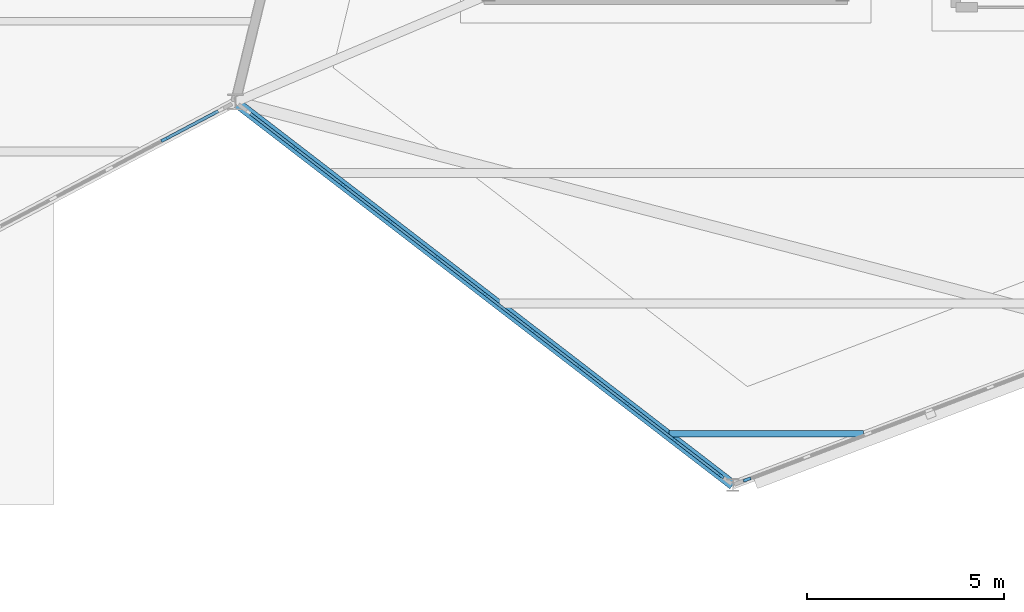
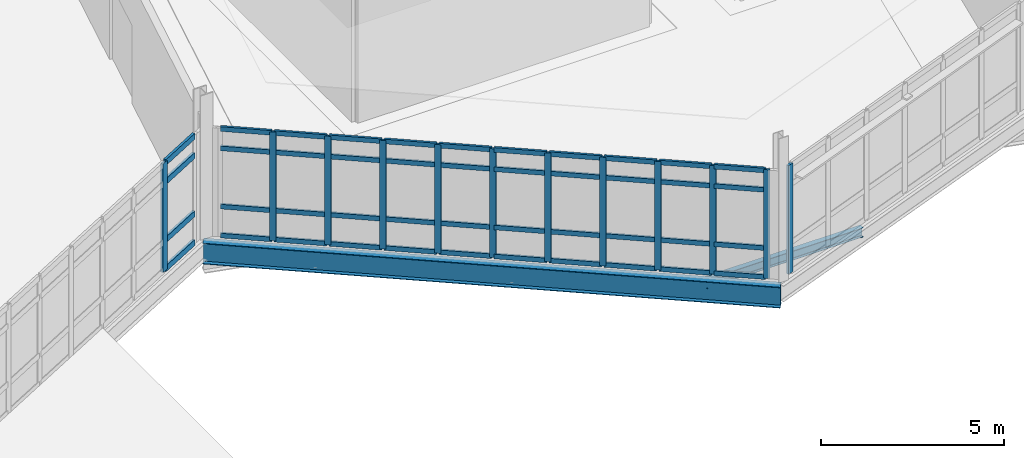
# One storey, part 40 of 134: 56 members, 2 beams, 3 elements without a shape of their own.
"""IFC4 building model written with IfcOpenShell, lengths in metres."""

from ifc_helpers import new_model, si_unit, direction, frame, origin, origin_2d, place, context, subcontext, project, spatial, rectangle, i_section, extrude, material, material_profile, profile_set, type_object, element, aggregate, save


model = new_model("IFC4")

# Units and contexts
model_context = context("Model", 3, precision=1e-05, world=origin(), true_north=direction((0.0, 1.0)))
body_context = subcontext(model_context, "Body", "Model", "MODEL_VIEW")
ifc_project = project(units=[si_unit("LENGTHUNIT", "METRE"), si_unit("AREAUNIT", "SQUARE_METRE"), si_unit("VOLUMEUNIT", "CUBIC_METRE"), si_unit("PLANEANGLEUNIT", "RADIAN"), si_unit("MASSUNIT", "GRAM", prefix="KILO")], contexts=[model_context])

# Site, building, storey
site_placement = place(None, origin())
site = spatial("IfcSite", under=ifc_project, at=site_placement, CompositionType="ELEMENT")
building_placement = place(site_placement, origin())
building = spatial("IfcBuilding", under=site, at=building_placement, Name="Tameran Prism Museum", CompositionType="ELEMENT")
storey_placement = place(building_placement, frame((0.0, 0.0, 5.39990234375)))
storey = spatial("IfcBuildingStorey", under=building, at=storey_placement, Name="L01", CompositionType="ELEMENT", Elevation=5.39990234375)

# Beams
ifc_material_1 = material(Name="Steel Grade 300PLUS (300 MPa)", Category="steel")
ifc_material_profile_1 = material_profile(ifc_material_1, i_section(OverallWidth=0.166015625, OverallDepth=0.306884765625, WebThickness=0.006591796875, FlangeThickness=0.01171875, FilletRadius=0.011474609375, at=origin_2d()))
ifc_profile_set_1 = profile_set([ifc_material_profile_1])
beam_type_1 = type_object("IfcBeamType", Name="BM-J310A", PredefinedType="JOIST", material=ifc_profile_set_1)
beam_1_placement = place(storey_placement, frame((109.076904296875, 19.800048828125, -0.353515625), z_axis=(1.0, 0.0, 0.0), x_axis=(0.0, 1.0, 0.0)))
element("IfcBeam", 1, at=beam_1_placement, inside=storey, type_object=beam_type_1, Name="Floor Beam BM-0561", PredefinedType="JOIST", context=body_context, shape_type="SweptSolid", body=[
    extrude(i_section(OverallWidth=0.166015625, OverallDepth=0.306884765625, WebThickness=0.006591796875, FlangeThickness=0.01171875, FilletRadius=0.011474609375, at=origin_2d()), origin(), (0.0, 0.0, 1.0), 4.93115234375),
])
ifc_material_2 = material(Name="Steel Grade 350 (350 MPa)", Category="steel")
ifc_material_profile_2 = material_profile(ifc_material_2, i_section(OverallWidth=0.25, OverallDepth=0.699951171875, WebThickness=0.010009765625, FlangeThickness=0.02001953125, at=origin_2d()))
ifc_profile_set_2 = profile_set([ifc_material_profile_2])
beam_type_2 = type_object("IfcBeamType", Name="BM-SP700", PredefinedType="SPANDREL", material=ifc_profile_set_2)
beam_2_placement = place(storey_placement, frame((98.10009765625, 28.199951171875, -0.5498046875), z_axis=(0.792388202323, -0.610017161086, 0.0), x_axis=(0.610017161086, 0.792388202323, 0.0)))
element("IfcBeam", 2, at=beam_2_placement, inside=storey, type_object=beam_type_2, Name="Perimeter Spandrel SP-0360", PredefinedType="SPANDREL", context=body_context, shape_type="SweptSolid", body=[
    extrude(i_section(OverallWidth=0.25, OverallDepth=0.699951171875, WebThickness=0.010009765625, FlangeThickness=0.02001953125, at=origin_2d()), origin(), (0.0, 0.0, 1.0), 15.901123046875),
])

# Curtain wall, members
ifc_material_3 = material(Name="Anodised Aluminium 6063-T6 and Cyclone Solar Glass", Category="aluminium")
curtain_wall_type_1 = type_object("IfcCurtainWallType", Name="CW-FAC-1514x362", PredefinedType="USERDEFINED", material=ifc_material_3)
curtain_wall_1_placement = place(storey_placement, origin())
curtain_wall_1 = element("IfcCurtainWall", 3, at=curtain_wall_1_placement, inside=storey, type_object=curtain_wall_type_1, Name="Unitised Curtain Wall CW-072", ObjectType="UNITISED CURTAIN WALL", PredefinedType="USERDEFINED")
ifc_material_4 = material(Name="Anodised Aluminium Alloy 6063-T6", Category="aluminium")
ifc_material_profile_3 = material_profile(ifc_material_4, rectangle(XDim=0.070068359375, YDim=0.179931640625, at=origin_2d()))
ifc_profile_set_3 = profile_set([ifc_material_profile_3])
member_type_1 = type_object("IfcMemberType", Name="CW-MUL-B", PredefinedType="MULLION", material=ifc_profile_set_3)
member_1_placement = place(storey_placement, frame((110.395263671875, 18.734375, 0.0), z_axis=(0.0, 0.0, 1.0), x_axis=(-0.610001143702, -0.79240053299, 0.0)))
member_1 = element("IfcMember", 4, at=member_1_placement, type_object=member_type_1, Name="CW-072 mullion 1", PredefinedType="MULLION", context=body_context, shape_type="SweptSolid", body=[
    extrude(rectangle(XDim=0.070068359375, YDim=0.179931640625, at=origin_2d()), origin(), (0.0, 0.0, 1.0), 3.6201171875),
])
member_2_placement = place(storey_placement, frame((109.22314453125, 19.63671875, 0.0), z_axis=(0.0, 0.0, 1.0), x_axis=(-0.610001143702, -0.79240053299, 0.0)))
member_2 = element("IfcMember", 5, at=member_2_placement, type_object=member_type_1, Name="CW-072 mullion 2", PredefinedType="MULLION", context=body_context, shape_type="SweptSolid", body=[
    extrude(rectangle(XDim=0.070068359375, YDim=0.179931640625, at=origin_2d()), origin(), (0.0, 0.0, 1.0), 3.6201171875),
])
member_3_placement = place(storey_placement, frame((108.023193359375, 20.560302734375, 0.0), z_axis=(0.0, 0.0, 1.0), x_axis=(-0.610001143702, -0.79240053299, 0.0)))
member_3 = element("IfcMember", 6, at=member_3_placement, type_object=member_type_1, Name="CW-072 mullion 3", PredefinedType="MULLION", context=body_context, shape_type="SweptSolid", body=[
    extrude(rectangle(XDim=0.070068359375, YDim=0.179931640625, at=origin_2d()), origin(), (0.0, 0.0, 1.0), 3.6201171875),
])
member_4_placement = place(storey_placement, frame((106.8232421875, 21.484130859375, 0.0), z_axis=(0.0, 0.0, 1.0), x_axis=(-0.610001143702, -0.79240053299, 0.0)))
member_4 = element("IfcMember", 7, at=member_4_placement, type_object=member_type_1, Name="CW-072 mullion 4", PredefinedType="MULLION", context=body_context, shape_type="SweptSolid", body=[
    extrude(rectangle(XDim=0.070068359375, YDim=0.179931640625, at=origin_2d()), origin(), (0.0, 0.0, 1.0), 3.6201171875),
])
member_5_placement = place(storey_placement, frame((105.623291015625, 22.40771484375, 0.0), z_axis=(0.0, 0.0, 1.0), x_axis=(-0.610001143702, -0.79240053299, 0.0)))
member_5 = element("IfcMember", 8, at=member_5_placement, type_object=member_type_1, Name="CW-072 mullion 5", PredefinedType="MULLION", context=body_context, shape_type="SweptSolid", body=[
    extrude(rectangle(XDim=0.070068359375, YDim=0.179931640625, at=origin_2d()), origin(), (0.0, 0.0, 1.0), 3.6201171875),
])
member_6_placement = place(storey_placement, frame((104.423583984375, 23.33154296875, 0.0), z_axis=(0.0, 0.0, 1.0), x_axis=(-0.610001143702, -0.79240053299, 0.0)))
member_6 = element("IfcMember", 9, at=member_6_placement, type_object=member_type_1, Name="CW-072 mullion 6", PredefinedType="MULLION", context=body_context, shape_type="SweptSolid", body=[
    extrude(rectangle(XDim=0.070068359375, YDim=0.179931640625, at=origin_2d()), origin(), (0.0, 0.0, 1.0), 3.6201171875),
])
member_7_placement = place(storey_placement, frame((103.2236328125, 24.255126953125, 0.0), z_axis=(0.0, 0.0, 1.0), x_axis=(-0.610001143702, -0.79240053299, 0.0)))
member_7 = element("IfcMember", 10, at=member_7_placement, type_object=member_type_1, Name="CW-072 mullion 7", PredefinedType="MULLION", context=body_context, shape_type="SweptSolid", body=[
    extrude(rectangle(XDim=0.070068359375, YDim=0.179931640625, at=origin_2d()), origin(), (0.0, 0.0, 1.0), 3.6201171875),
])
member_8_placement = place(storey_placement, frame((102.023681640625, 25.178955078125, 0.0), z_axis=(0.0, 0.0, 1.0), x_axis=(-0.610001143702, -0.79240053299, 0.0)))
member_8 = element("IfcMember", 11, at=member_8_placement, type_object=member_type_1, Name="CW-072 mullion 8", PredefinedType="MULLION", context=body_context, shape_type="SweptSolid", body=[
    extrude(rectangle(XDim=0.070068359375, YDim=0.179931640625, at=origin_2d()), origin(), (0.0, 0.0, 1.0), 3.6201171875),
])
member_9_placement = place(storey_placement, frame((100.82373046875, 26.1025390625, 0.0), z_axis=(0.0, 0.0, 1.0), x_axis=(-0.610001143702, -0.79240053299, 0.0)))
member_9 = element("IfcMember", 12, at=member_9_placement, type_object=member_type_1, Name="CW-072 mullion 9", PredefinedType="MULLION", context=body_context, shape_type="SweptSolid", body=[
    extrude(rectangle(XDim=0.070068359375, YDim=0.179931640625, at=origin_2d()), origin(), (0.0, 0.0, 1.0), 3.6201171875),
])
member_10_placement = place(storey_placement, frame((99.623779296875, 27.0263671875, 0.0), z_axis=(0.0, 0.0, 1.0), x_axis=(-0.610001143702, -0.79240053299, 0.0)))
member_10 = element("IfcMember", 13, at=member_10_placement, type_object=member_type_1, Name="CW-072 mullion 10", PredefinedType="MULLION", context=body_context, shape_type="SweptSolid", body=[
    extrude(rectangle(XDim=0.070068359375, YDim=0.179931640625, at=origin_2d()), origin(), (0.0, 0.0, 1.0), 3.6201171875),
])

# Curtain wall, member
ifc_material_5 = material(Name="Anodised Aluminium 6063-T6 and Cyclone Solar Glass", Category="aluminium")
curtain_wall_type_2 = type_object("IfcCurtainWallType", Name="CW-FAC-994x362", PredefinedType="USERDEFINED", material=ifc_material_5)
curtain_wall_2_placement = place(storey_placement, origin())
curtain_wall_2 = element("IfcCurtainWall", 14, at=curtain_wall_2_placement, inside=storey, type_object=curtain_wall_type_2, Name="Unitised Curtain Wall CW-073", ObjectType="UNITISED CURTAIN WALL", PredefinedType="USERDEFINED")
ifc_material_6 = material(Name="Anodised Aluminium Alloy 6063-T6", Category="aluminium")
ifc_material_profile_4 = material_profile(ifc_material_6, rectangle(XDim=0.074951171875, YDim=0.199951171875, at=origin_2d()))
ifc_profile_set_4 = profile_set([ifc_material_profile_4])
member_type_2 = type_object("IfcMemberType", Name="CW-MUL-C", PredefinedType="MULLION", material=ifc_profile_set_4)
member_11_placement = place(storey_placement, frame((111.06201171875, 18.63720703125, 0.0), z_axis=(0.0, 0.0, 1.0), x_axis=(0.355288098442, -0.934756849189, 0.0)))
member_11 = element("IfcMember", 15, at=member_11_placement, type_object=member_type_2, Name="CW-073 mullion 7", PredefinedType="MULLION", context=body_context, shape_type="SweptSolid", body=[
    extrude(rectangle(XDim=0.074951171875, YDim=0.199951171875, at=origin_2d()), origin(), (0.0, 0.0, 1.0), 3.6201171875),
])
aggregate(curtain_wall_2, [member_11])

ifc_material_7 = material(Name="Anodised Aluminium 6063-T6 and Cyclone Solar Glass", Category="aluminium")
curtain_wall_type_3 = type_object("IfcCurtainWallType", Name="CW-FAC-1123x362", PredefinedType="USERDEFINED", material=ifc_material_7)
curtain_wall_3_placement = place(storey_placement, origin())
curtain_wall_3 = element("IfcCurtainWall", 16, at=curtain_wall_3_placement, inside=storey, type_object=curtain_wall_type_3, Name="Unitised Curtain Wall CW-066", ObjectType="UNITISED CURTAIN WALL", PredefinedType="USERDEFINED")
ifc_material_8 = material(Name="Anodised Aluminium Alloy 6063-T6", Category="aluminium")
ifc_material_profile_5 = material_profile(ifc_material_8, rectangle(XDim=0.080078125, YDim=0.219970703125, at=origin_2d()))
ifc_profile_set_5 = profile_set([ifc_material_profile_5])
member_type_3 = type_object("IfcMemberType", Name="CW-MUL-D", PredefinedType="MULLION", material=ifc_profile_set_5)
member_12_placement = place(storey_placement, frame((96.319580078125, 27.259521484375, 0.0), z_axis=(0.0, 0.0, 1.0), x_axis=(0.467155185438, -0.884175340483, 0.0)))
member_12 = element("IfcMember", 17, at=member_12_placement, type_object=member_type_3, Name="CW-066 mullion 2", PredefinedType="MULLION", context=body_context, shape_type="SweptSolid", body=[
    extrude(rectangle(XDim=0.080078125, YDim=0.219970703125, at=origin_2d()), origin(), (0.0, 0.0, 1.0), 3.6201171875),
])

# Member
ifc_material_9 = material(Name="Anodised Aluminium Alloy 6063-T6", Category="aluminium")
ifc_material_profile_6 = material_profile(ifc_material_9, rectangle(XDim=0.070068359375, YDim=0.155029296875, at=origin_2d()))
ifc_profile_set_6 = profile_set([ifc_material_profile_6])
member_type_4 = type_object("IfcMemberType", Name="CW-TRN-B", PredefinedType="USERDEFINED", material=ifc_profile_set_6)
member_13_placement = place(storey_placement, frame((110.367431640625, 18.755615234375, 0.03515625), z_axis=(-0.792411412919, 0.609987010251, 0.0), x_axis=(-0.609987010251, -0.792411412919, 0.0)))
member_13 = element("IfcMember", 18, at=member_13_placement, type_object=member_type_4, Name="CW-072 transom 1.1", ObjectType="TRANSOM", PredefinedType="USERDEFINED", context=body_context, shape_type="SweptSolid", body=[
    extrude(rectangle(XDim=0.070068359375, YDim=0.155029296875, at=origin_2d()), origin(), (0.0, 0.0, 1.0), 1.4091796875),
])

member_14_placement = place(storey_placement, frame((110.367431640625, 18.755615234375, 1.0), z_axis=(-0.792411412919, 0.609987010251, 0.0), x_axis=(-0.609987010251, -0.792411412919, 0.0)))
member_14 = element("IfcMember", 19, at=member_14_placement, type_object=member_type_4, Name="CW-072 transom 1.2", ObjectType="TRANSOM", PredefinedType="USERDEFINED", context=body_context, shape_type="SweptSolid", body=[
    extrude(rectangle(XDim=0.070068359375, YDim=0.155029296875, at=origin_2d()), origin(), (0.0, 0.0, 1.0), 1.4091796875),
])

member_15_placement = place(storey_placement, frame((110.367431640625, 18.755615234375, 2.940185546875), z_axis=(-0.792411412919, 0.609987010251, 0.0), x_axis=(-0.609987010251, -0.792411412919, 0.0)))
member_15 = element("IfcMember", 20, at=member_15_placement, type_object=member_type_4, Name="CW-072 transom 1.3", ObjectType="TRANSOM", PredefinedType="USERDEFINED", context=body_context, shape_type="SweptSolid", body=[
    extrude(rectangle(XDim=0.070068359375, YDim=0.155029296875, at=origin_2d()), origin(), (0.0, 0.0, 1.0), 1.4091796875),
])

member_16_placement = place(storey_placement, frame((110.367431640625, 18.755615234375, 3.585205078125), z_axis=(-0.792411412919, 0.609987010251, 0.0), x_axis=(-0.609987010251, -0.792411412919, 0.0)))
member_16 = element("IfcMember", 21, at=member_16_placement, type_object=member_type_4, Name="CW-072 transom 1.4", ObjectType="TRANSOM", PredefinedType="USERDEFINED", context=body_context, shape_type="SweptSolid", body=[
    extrude(rectangle(XDim=0.070068359375, YDim=0.155029296875, at=origin_2d()), origin(), (0.0, 0.0, 1.0), 1.4091796875),
])

member_17_placement = place(storey_placement, frame((109.1953125, 19.657958984375, 0.03515625), z_axis=(-0.792328533216, 0.610094661058, 0.0), x_axis=(-0.610094661058, -0.792328533216, 0.0)))
member_17 = element("IfcMember", 22, at=member_17_placement, type_object=member_type_4, Name="CW-072 transom 2.1", ObjectType="TRANSOM", PredefinedType="USERDEFINED", context=body_context, shape_type="SweptSolid", body=[
    extrude(rectangle(XDim=0.070068359375, YDim=0.155029296875, at=origin_2d()), origin(), (0.0, 0.0, 1.0), 1.444091796875),
])

member_18_placement = place(storey_placement, frame((109.1953125, 19.657958984375, 1.0), z_axis=(-0.792328533216, 0.610094661058, 0.0), x_axis=(-0.610094661058, -0.792328533216, 0.0)))
member_18 = element("IfcMember", 23, at=member_18_placement, type_object=member_type_4, Name="CW-072 transom 2.2", ObjectType="TRANSOM", PredefinedType="USERDEFINED", context=body_context, shape_type="SweptSolid", body=[
    extrude(rectangle(XDim=0.070068359375, YDim=0.155029296875, at=origin_2d()), origin(), (0.0, 0.0, 1.0), 1.444091796875),
])

member_19_placement = place(storey_placement, frame((109.1953125, 19.657958984375, 2.940185546875), z_axis=(-0.792328533216, 0.610094661058, 0.0), x_axis=(-0.610094661058, -0.792328533216, 0.0)))
member_19 = element("IfcMember", 24, at=member_19_placement, type_object=member_type_4, Name="CW-072 transom 2.3", ObjectType="TRANSOM", PredefinedType="USERDEFINED", context=body_context, shape_type="SweptSolid", body=[
    extrude(rectangle(XDim=0.070068359375, YDim=0.155029296875, at=origin_2d()), origin(), (0.0, 0.0, 1.0), 1.444091796875),
])

member_20_placement = place(storey_placement, frame((109.1953125, 19.657958984375, 3.585205078125), z_axis=(-0.792328533216, 0.610094661058, 0.0), x_axis=(-0.610094661058, -0.792328533216, 0.0)))
member_20 = element("IfcMember", 25, at=member_20_placement, type_object=member_type_4, Name="CW-072 transom 2.4", ObjectType="TRANSOM", PredefinedType="USERDEFINED", context=body_context, shape_type="SweptSolid", body=[
    extrude(rectangle(XDim=0.070068359375, YDim=0.155029296875, at=origin_2d()), origin(), (0.0, 0.0, 1.0), 1.444091796875),
])

member_21_placement = place(storey_placement, frame((107.995361328125, 20.581787109375, 0.03515625), z_axis=(-0.79241025162, 0.609988518849, 0.0), x_axis=(-0.609988518849, -0.79241025162, 0.0)))
member_21 = element("IfcMember", 26, at=member_21_placement, type_object=member_type_4, Name="CW-072 transom 3.1", ObjectType="TRANSOM", PredefinedType="USERDEFINED", context=body_context, shape_type="SweptSolid", body=[
    extrude(rectangle(XDim=0.070068359375, YDim=0.155029296875, at=origin_2d()), origin(), (0.0, 0.0, 1.0), 1.444091796875),
])

member_22_placement = place(storey_placement, frame((107.995361328125, 20.581787109375, 1.0), z_axis=(-0.79241025162, 0.609988518849, 0.0), x_axis=(-0.609988518849, -0.79241025162, 0.0)))
member_22 = element("IfcMember", 27, at=member_22_placement, type_object=member_type_4, Name="CW-072 transom 3.2", ObjectType="TRANSOM", PredefinedType="USERDEFINED", context=body_context, shape_type="SweptSolid", body=[
    extrude(rectangle(XDim=0.070068359375, YDim=0.155029296875, at=origin_2d()), origin(), (0.0, 0.0, 1.0), 1.444091796875),
])

member_23_placement = place(storey_placement, frame((107.995361328125, 20.581787109375, 2.940185546875), z_axis=(-0.79241025162, 0.609988518849, 0.0), x_axis=(-0.609988518849, -0.79241025162, 0.0)))
member_23 = element("IfcMember", 28, at=member_23_placement, type_object=member_type_4, Name="CW-072 transom 3.3", ObjectType="TRANSOM", PredefinedType="USERDEFINED", context=body_context, shape_type="SweptSolid", body=[
    extrude(rectangle(XDim=0.070068359375, YDim=0.155029296875, at=origin_2d()), origin(), (0.0, 0.0, 1.0), 1.444091796875),
])

member_24_placement = place(storey_placement, frame((107.995361328125, 20.581787109375, 3.585205078125), z_axis=(-0.79241025162, 0.609988518849, 0.0), x_axis=(-0.609988518849, -0.79241025162, 0.0)))
member_24 = element("IfcMember", 29, at=member_24_placement, type_object=member_type_4, Name="CW-072 transom 3.4", ObjectType="TRANSOM", PredefinedType="USERDEFINED", context=body_context, shape_type="SweptSolid", body=[
    extrude(rectangle(XDim=0.070068359375, YDim=0.155029296875, at=origin_2d()), origin(), (0.0, 0.0, 1.0), 1.444091796875),
])

member_25_placement = place(storey_placement, frame((106.795654296875, 21.50537109375, 0.03515625), z_axis=(-0.792391442906, 0.610012951674, 0.0), x_axis=(-0.610012951674, -0.792391442906, 0.0)))
member_25 = element("IfcMember", 30, at=member_25_placement, type_object=member_type_4, Name="CW-072 transom 4.1", ObjectType="TRANSOM", PredefinedType="USERDEFINED", context=body_context, shape_type="SweptSolid", body=[
    extrude(rectangle(XDim=0.070068359375, YDim=0.155029296875, at=origin_2d()), origin(), (0.0, 0.0, 1.0), 1.4443359375),
])

member_26_placement = place(storey_placement, frame((106.795654296875, 21.50537109375, 1.0), z_axis=(-0.792391442906, 0.610012951674, 0.0), x_axis=(-0.610012951674, -0.792391442906, 0.0)))
member_26 = element("IfcMember", 31, at=member_26_placement, type_object=member_type_4, Name="CW-072 transom 4.2", ObjectType="TRANSOM", PredefinedType="USERDEFINED", context=body_context, shape_type="SweptSolid", body=[
    extrude(rectangle(XDim=0.070068359375, YDim=0.155029296875, at=origin_2d()), origin(), (0.0, 0.0, 1.0), 1.4443359375),
])

member_27_placement = place(storey_placement, frame((106.795654296875, 21.50537109375, 2.940185546875), z_axis=(-0.792391442906, 0.610012951674, 0.0), x_axis=(-0.610012951674, -0.792391442906, 0.0)))
member_27 = element("IfcMember", 32, at=member_27_placement, type_object=member_type_4, Name="CW-072 transom 4.3", ObjectType="TRANSOM", PredefinedType="USERDEFINED", context=body_context, shape_type="SweptSolid", body=[
    extrude(rectangle(XDim=0.070068359375, YDim=0.155029296875, at=origin_2d()), origin(), (0.0, 0.0, 1.0), 1.4443359375),
])

member_28_placement = place(storey_placement, frame((106.795654296875, 21.50537109375, 3.585205078125), z_axis=(-0.792391442906, 0.610012951674, 0.0), x_axis=(-0.610012951674, -0.792391442906, 0.0)))
member_28 = element("IfcMember", 33, at=member_28_placement, type_object=member_type_4, Name="CW-072 transom 4.4", ObjectType="TRANSOM", PredefinedType="USERDEFINED", context=body_context, shape_type="SweptSolid", body=[
    extrude(rectangle(XDim=0.070068359375, YDim=0.155029296875, at=origin_2d()), origin(), (0.0, 0.0, 1.0), 1.4443359375),
])

member_29_placement = place(storey_placement, frame((105.595703125, 22.42919921875, 0.03515625), z_axis=(-0.792473145905, 0.609906806831, 0.0), x_axis=(-0.609906806831, -0.792473145905, 0.0)))
member_29 = element("IfcMember", 34, at=member_29_placement, type_object=member_type_4, Name="CW-072 transom 5.1", ObjectType="TRANSOM", PredefinedType="USERDEFINED", context=body_context, shape_type="SweptSolid", body=[
    extrude(rectangle(XDim=0.070068359375, YDim=0.155029296875, at=origin_2d()), origin(), (0.0, 0.0, 1.0), 1.4443359375),
])

member_30_placement = place(storey_placement, frame((105.595703125, 22.42919921875, 1.0), z_axis=(-0.792473145905, 0.609906806831, 0.0), x_axis=(-0.609906806831, -0.792473145905, 0.0)))
member_30 = element("IfcMember", 35, at=member_30_placement, type_object=member_type_4, Name="CW-072 transom 5.2", ObjectType="TRANSOM", PredefinedType="USERDEFINED", context=body_context, shape_type="SweptSolid", body=[
    extrude(rectangle(XDim=0.070068359375, YDim=0.155029296875, at=origin_2d()), origin(), (0.0, 0.0, 1.0), 1.4443359375),
])

member_31_placement = place(storey_placement, frame((105.595703125, 22.42919921875, 2.940185546875), z_axis=(-0.792473145905, 0.609906806831, 0.0), x_axis=(-0.609906806831, -0.792473145905, 0.0)))
member_31 = element("IfcMember", 36, at=member_31_placement, type_object=member_type_4, Name="CW-072 transom 5.3", ObjectType="TRANSOM", PredefinedType="USERDEFINED", context=body_context, shape_type="SweptSolid", body=[
    extrude(rectangle(XDim=0.070068359375, YDim=0.155029296875, at=origin_2d()), origin(), (0.0, 0.0, 1.0), 1.4443359375),
])

member_32_placement = place(storey_placement, frame((105.595703125, 22.42919921875, 3.585205078125), z_axis=(-0.792473145905, 0.609906806831, 0.0), x_axis=(-0.609906806831, -0.792473145905, 0.0)))
member_32 = element("IfcMember", 37, at=member_32_placement, type_object=member_type_4, Name="CW-072 transom 5.4", ObjectType="TRANSOM", PredefinedType="USERDEFINED", context=body_context, shape_type="SweptSolid", body=[
    extrude(rectangle(XDim=0.070068359375, YDim=0.155029296875, at=origin_2d()), origin(), (0.0, 0.0, 1.0), 1.4443359375),
])

member_33_placement = place(storey_placement, frame((104.395751953125, 23.352783203125, 0.03515625), z_axis=(-0.792391442906, 0.610012951674, 0.0), x_axis=(-0.610012951674, -0.792391442906, 0.0)))
member_33 = element("IfcMember", 38, at=member_33_placement, type_object=member_type_4, Name="CW-072 transom 6.1", ObjectType="TRANSOM", PredefinedType="USERDEFINED", context=body_context, shape_type="SweptSolid", body=[
    extrude(rectangle(XDim=0.070068359375, YDim=0.155029296875, at=origin_2d()), origin(), (0.0, 0.0, 1.0), 1.4443359375),
])

member_34_placement = place(storey_placement, frame((104.395751953125, 23.352783203125, 1.0), z_axis=(-0.792391442906, 0.610012951674, 0.0), x_axis=(-0.610012951674, -0.792391442906, 0.0)))
member_34 = element("IfcMember", 39, at=member_34_placement, type_object=member_type_4, Name="CW-072 transom 6.2", ObjectType="TRANSOM", PredefinedType="USERDEFINED", context=body_context, shape_type="SweptSolid", body=[
    extrude(rectangle(XDim=0.070068359375, YDim=0.155029296875, at=origin_2d()), origin(), (0.0, 0.0, 1.0), 1.4443359375),
])

member_35_placement = place(storey_placement, frame((104.395751953125, 23.352783203125, 2.940185546875), z_axis=(-0.792391442906, 0.610012951674, 0.0), x_axis=(-0.610012951674, -0.792391442906, 0.0)))
member_35 = element("IfcMember", 40, at=member_35_placement, type_object=member_type_4, Name="CW-072 transom 6.3", ObjectType="TRANSOM", PredefinedType="USERDEFINED", context=body_context, shape_type="SweptSolid", body=[
    extrude(rectangle(XDim=0.070068359375, YDim=0.155029296875, at=origin_2d()), origin(), (0.0, 0.0, 1.0), 1.4443359375),
])

member_36_placement = place(storey_placement, frame((104.395751953125, 23.352783203125, 3.585205078125), z_axis=(-0.792391442906, 0.610012951674, 0.0), x_axis=(-0.610012951674, -0.792391442906, 0.0)))
member_36 = element("IfcMember", 41, at=member_36_placement, type_object=member_type_4, Name="CW-072 transom 6.4", ObjectType="TRANSOM", PredefinedType="USERDEFINED", context=body_context, shape_type="SweptSolid", body=[
    extrude(rectangle(XDim=0.070068359375, YDim=0.155029296875, at=origin_2d()), origin(), (0.0, 0.0, 1.0), 1.4443359375),
])

member_37_placement = place(storey_placement, frame((103.19580078125, 24.276611328125, 0.03515625), z_axis=(-0.79241025162, 0.609988518849, 0.0), x_axis=(-0.609988518849, -0.79241025162, 0.0)))
member_37 = element("IfcMember", 42, at=member_37_placement, type_object=member_type_4, Name="CW-072 transom 7.1", ObjectType="TRANSOM", PredefinedType="USERDEFINED", context=body_context, shape_type="SweptSolid", body=[
    extrude(rectangle(XDim=0.070068359375, YDim=0.155029296875, at=origin_2d()), origin(), (0.0, 0.0, 1.0), 1.444091796875),
])

member_38_placement = place(storey_placement, frame((103.19580078125, 24.276611328125, 1.0), z_axis=(-0.79241025162, 0.609988518849, 0.0), x_axis=(-0.609988518849, -0.79241025162, 0.0)))
member_38 = element("IfcMember", 43, at=member_38_placement, type_object=member_type_4, Name="CW-072 transom 7.2", ObjectType="TRANSOM", PredefinedType="USERDEFINED", context=body_context, shape_type="SweptSolid", body=[
    extrude(rectangle(XDim=0.070068359375, YDim=0.155029296875, at=origin_2d()), origin(), (0.0, 0.0, 1.0), 1.444091796875),
])

member_39_placement = place(storey_placement, frame((103.19580078125, 24.276611328125, 2.940185546875), z_axis=(-0.79241025162, 0.609988518849, 0.0), x_axis=(-0.609988518849, -0.79241025162, 0.0)))
member_39 = element("IfcMember", 44, at=member_39_placement, type_object=member_type_4, Name="CW-072 transom 7.3", ObjectType="TRANSOM", PredefinedType="USERDEFINED", context=body_context, shape_type="SweptSolid", body=[
    extrude(rectangle(XDim=0.070068359375, YDim=0.155029296875, at=origin_2d()), origin(), (0.0, 0.0, 1.0), 1.444091796875),
])

member_40_placement = place(storey_placement, frame((103.19580078125, 24.276611328125, 3.585205078125), z_axis=(-0.79241025162, 0.609988518849, 0.0), x_axis=(-0.609988518849, -0.79241025162, 0.0)))
member_40 = element("IfcMember", 45, at=member_40_placement, type_object=member_type_4, Name="CW-072 transom 7.4", ObjectType="TRANSOM", PredefinedType="USERDEFINED", context=body_context, shape_type="SweptSolid", body=[
    extrude(rectangle(XDim=0.070068359375, YDim=0.155029296875, at=origin_2d()), origin(), (0.0, 0.0, 1.0), 1.444091796875),
])

member_41_placement = place(storey_placement, frame((101.995849609375, 25.2001953125, 0.03515625), z_axis=(-0.792328533216, 0.610094661058, 0.0), x_axis=(-0.610094661058, -0.792328533216, 0.0)))
member_41 = element("IfcMember", 46, at=member_41_placement, type_object=member_type_4, Name="CW-072 transom 8.1", ObjectType="TRANSOM", PredefinedType="USERDEFINED", context=body_context, shape_type="SweptSolid", body=[
    extrude(rectangle(XDim=0.070068359375, YDim=0.155029296875, at=origin_2d()), origin(), (0.0, 0.0, 1.0), 1.444091796875),
])

member_42_placement = place(storey_placement, frame((101.995849609375, 25.2001953125, 1.0), z_axis=(-0.792328533216, 0.610094661058, 0.0), x_axis=(-0.610094661058, -0.792328533216, 0.0)))
member_42 = element("IfcMember", 47, at=member_42_placement, type_object=member_type_4, Name="CW-072 transom 8.2", ObjectType="TRANSOM", PredefinedType="USERDEFINED", context=body_context, shape_type="SweptSolid", body=[
    extrude(rectangle(XDim=0.070068359375, YDim=0.155029296875, at=origin_2d()), origin(), (0.0, 0.0, 1.0), 1.444091796875),
])

member_43_placement = place(storey_placement, frame((101.995849609375, 25.2001953125, 2.940185546875), z_axis=(-0.792328533216, 0.610094661058, 0.0), x_axis=(-0.610094661058, -0.792328533216, 0.0)))
member_43 = element("IfcMember", 48, at=member_43_placement, type_object=member_type_4, Name="CW-072 transom 8.3", ObjectType="TRANSOM", PredefinedType="USERDEFINED", context=body_context, shape_type="SweptSolid", body=[
    extrude(rectangle(XDim=0.070068359375, YDim=0.155029296875, at=origin_2d()), origin(), (0.0, 0.0, 1.0), 1.444091796875),
])

member_44_placement = place(storey_placement, frame((101.995849609375, 25.2001953125, 3.585205078125), z_axis=(-0.792328533216, 0.610094661058, 0.0), x_axis=(-0.610094661058, -0.792328533216, 0.0)))
member_44 = element("IfcMember", 49, at=member_44_placement, type_object=member_type_4, Name="CW-072 transom 8.4", ObjectType="TRANSOM", PredefinedType="USERDEFINED", context=body_context, shape_type="SweptSolid", body=[
    extrude(rectangle(XDim=0.070068359375, YDim=0.155029296875, at=origin_2d()), origin(), (0.0, 0.0, 1.0), 1.444091796875),
])

member_45_placement = place(storey_placement, frame((100.796142578125, 26.1240234375, 0.03515625), z_axis=(-0.792473145905, 0.609906806831, 0.0), x_axis=(-0.609906806831, -0.792473145905, 0.0)))
member_45 = element("IfcMember", 50, at=member_45_placement, type_object=member_type_4, Name="CW-072 transom 9.1", ObjectType="TRANSOM", PredefinedType="USERDEFINED", context=body_context, shape_type="SweptSolid", body=[
    extrude(rectangle(XDim=0.070068359375, YDim=0.155029296875, at=origin_2d()), origin(), (0.0, 0.0, 1.0), 1.4443359375),
])

member_46_placement = place(storey_placement, frame((100.796142578125, 26.1240234375, 1.0), z_axis=(-0.792473145905, 0.609906806831, 0.0), x_axis=(-0.609906806831, -0.792473145905, 0.0)))
member_46 = element("IfcMember", 51, at=member_46_placement, type_object=member_type_4, Name="CW-072 transom 9.2", ObjectType="TRANSOM", PredefinedType="USERDEFINED", context=body_context, shape_type="SweptSolid", body=[
    extrude(rectangle(XDim=0.070068359375, YDim=0.155029296875, at=origin_2d()), origin(), (0.0, 0.0, 1.0), 1.4443359375),
])

member_47_placement = place(storey_placement, frame((100.796142578125, 26.1240234375, 2.940185546875), z_axis=(-0.792473145905, 0.609906806831, 0.0), x_axis=(-0.609906806831, -0.792473145905, 0.0)))
member_47 = element("IfcMember", 52, at=member_47_placement, type_object=member_type_4, Name="CW-072 transom 9.3", ObjectType="TRANSOM", PredefinedType="USERDEFINED", context=body_context, shape_type="SweptSolid", body=[
    extrude(rectangle(XDim=0.070068359375, YDim=0.155029296875, at=origin_2d()), origin(), (0.0, 0.0, 1.0), 1.4443359375),
])

member_48_placement = place(storey_placement, frame((100.796142578125, 26.1240234375, 3.585205078125), z_axis=(-0.792473145905, 0.609906806831, 0.0), x_axis=(-0.609906806831, -0.792473145905, 0.0)))
member_48 = element("IfcMember", 53, at=member_48_placement, type_object=member_type_4, Name="CW-072 transom 9.4", ObjectType="TRANSOM", PredefinedType="USERDEFINED", context=body_context, shape_type="SweptSolid", body=[
    extrude(rectangle(XDim=0.070068359375, YDim=0.155029296875, at=origin_2d()), origin(), (0.0, 0.0, 1.0), 1.4443359375),
])

member_49_placement = place(storey_placement, frame((99.59619140625, 27.047607421875, 0.03515625), z_axis=(-0.792411412919, 0.609987010251, 0.0), x_axis=(-0.609987010251, -0.792411412919, 0.0)))
member_49 = element("IfcMember", 54, at=member_49_placement, type_object=member_type_4, Name="CW-072 transom 10.1", ObjectType="TRANSOM", PredefinedType="USERDEFINED", context=body_context, shape_type="SweptSolid", body=[
    extrude(rectangle(XDim=0.070068359375, YDim=0.155029296875, at=origin_2d()), origin(), (0.0, 0.0, 1.0), 1.4091796875),
])

member_50_placement = place(storey_placement, frame((99.59619140625, 27.047607421875, 1.0), z_axis=(-0.792411412919, 0.609987010251, 0.0), x_axis=(-0.609987010251, -0.792411412919, 0.0)))
member_50 = element("IfcMember", 55, at=member_50_placement, type_object=member_type_4, Name="CW-072 transom 10.2", ObjectType="TRANSOM", PredefinedType="USERDEFINED", context=body_context, shape_type="SweptSolid", body=[
    extrude(rectangle(XDim=0.070068359375, YDim=0.155029296875, at=origin_2d()), origin(), (0.0, 0.0, 1.0), 1.4091796875),
])

member_51_placement = place(storey_placement, frame((99.59619140625, 27.047607421875, 2.940185546875), z_axis=(-0.792411412919, 0.609987010251, 0.0), x_axis=(-0.609987010251, -0.792411412919, 0.0)))
member_51 = element("IfcMember", 56, at=member_51_placement, type_object=member_type_4, Name="CW-072 transom 10.3", ObjectType="TRANSOM", PredefinedType="USERDEFINED", context=body_context, shape_type="SweptSolid", body=[
    extrude(rectangle(XDim=0.070068359375, YDim=0.155029296875, at=origin_2d()), origin(), (0.0, 0.0, 1.0), 1.4091796875),
])

member_52_placement = place(storey_placement, frame((99.59619140625, 27.047607421875, 3.585205078125), z_axis=(-0.792411412919, 0.609987010251, 0.0), x_axis=(-0.609987010251, -0.792411412919, 0.0)))
member_52 = element("IfcMember", 57, at=member_52_placement, type_object=member_type_4, Name="CW-072 transom 10.4", ObjectType="TRANSOM", PredefinedType="USERDEFINED", context=body_context, shape_type="SweptSolid", body=[
    extrude(rectangle(XDim=0.070068359375, YDim=0.155029296875, at=origin_2d()), origin(), (0.0, 0.0, 1.0), 1.4091796875),
])

aggregate(curtain_wall_1, [member_1, member_2, member_3, member_4, member_5, member_6, member_7, member_8, member_9, member_10, member_13, member_14, member_15, member_16, member_17, member_18, member_19, member_20, member_21, member_22, member_23, member_24, member_25, member_26, member_27, member_28, member_29, member_30, member_31, member_32, member_33, member_34, member_35, member_36, member_37, member_38, member_39, member_40, member_41, member_42, member_43, member_44, member_45, member_46, member_47, member_48, member_49, member_50, member_51, member_52])

ifc_material_10 = material(Name="Anodised Aluminium Alloy 6063-T6", Category="aluminium")
ifc_material_profile_7 = material_profile(ifc_material_10, rectangle(XDim=0.080078125, YDim=0.195068359375, at=origin_2d()))
ifc_profile_set_7 = profile_set([ifc_material_profile_7])
member_type_5 = type_object("IfcMemberType", Name="CW-TRN-D", PredefinedType="USERDEFINED", material=ifc_profile_set_7)
member_53_placement = place(storey_placement, frame((97.667236328125, 27.9716796875, 0.0400390625), z_axis=(-0.884167744573, -0.467169561784, 0.0), x_axis=(0.467169561784, -0.884167744573, 0.0)))
member_53 = element("IfcMember", 58, at=member_53_placement, type_object=member_type_5, Name="CW-066 transom 1.1", ObjectType="TRANSOM", PredefinedType="USERDEFINED", context=body_context, shape_type="SweptSolid", body=[
    extrude(rectangle(XDim=0.080078125, YDim=0.195068359375, at=origin_2d()), origin(), (0.0, 0.0, 1.0), 1.484130859375),
])

member_54_placement = place(storey_placement, frame((97.667236328125, 27.9716796875, 1.0), z_axis=(-0.884167744573, -0.467169561784, 0.0), x_axis=(0.467169561784, -0.884167744573, 0.0)))
member_54 = element("IfcMember", 59, at=member_54_placement, type_object=member_type_5, Name="CW-066 transom 1.2", ObjectType="TRANSOM", PredefinedType="USERDEFINED", context=body_context, shape_type="SweptSolid", body=[
    extrude(rectangle(XDim=0.080078125, YDim=0.195068359375, at=origin_2d()), origin(), (0.0, 0.0, 1.0), 1.484130859375),
])

member_55_placement = place(storey_placement, frame((97.667236328125, 27.9716796875, 2.940185546875), z_axis=(-0.884167744573, -0.467169561784, 0.0), x_axis=(0.467169561784, -0.884167744573, 0.0)))
member_55 = element("IfcMember", 60, at=member_55_placement, type_object=member_type_5, Name="CW-066 transom 1.3", ObjectType="TRANSOM", PredefinedType="USERDEFINED", context=body_context, shape_type="SweptSolid", body=[
    extrude(rectangle(XDim=0.080078125, YDim=0.195068359375, at=origin_2d()), origin(), (0.0, 0.0, 1.0), 1.484130859375),
])

member_56_placement = place(storey_placement, frame((97.667236328125, 27.9716796875, 3.580078125), z_axis=(-0.884167744573, -0.467169561784, 0.0), x_axis=(0.467169561784, -0.884167744573, 0.0)))
member_56 = element("IfcMember", 61, at=member_56_placement, type_object=member_type_5, Name="CW-066 transom 1.4", ObjectType="TRANSOM", PredefinedType="USERDEFINED", context=body_context, shape_type="SweptSolid", body=[
    extrude(rectangle(XDim=0.080078125, YDim=0.195068359375, at=origin_2d()), origin(), (0.0, 0.0, 1.0), 1.484130859375),
])

aggregate(curtain_wall_3, [member_12, member_53, member_54, member_55, member_56])

save(model, "model.ifc")
